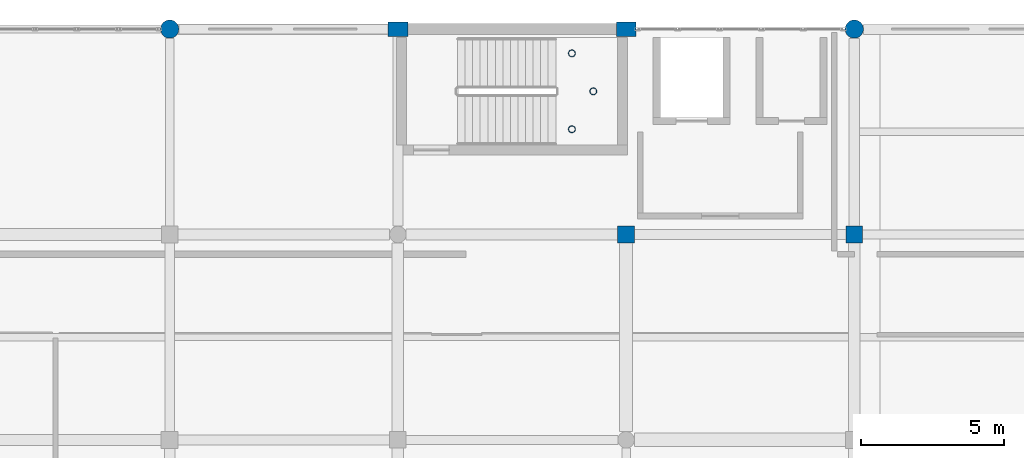
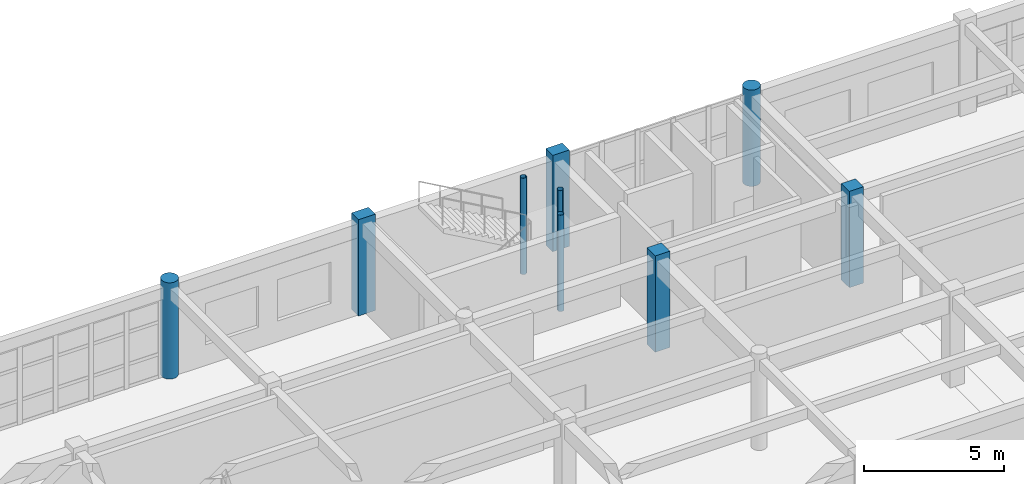
# One storey, part 4 of 121: 9 columns.
"""IFC4 building model written with IfcOpenShell, lengths in metres."""

from ifc_helpers import new_model, si_unit, direction, frame, origin, origin_2d, place, context, subcontext, project, spatial, rectangle, circle, hollow_circle, extrude, material, material_profile, profile_set, type_object, element, save


model = new_model("IFC4")

# Units and contexts
model_context = context("Model", 3, precision=1e-05, world=origin(), true_north=direction((0.0, 1.0)))
body_context = subcontext(model_context, "Body", "Model", "MODEL_VIEW")
ifc_project = project(units=[si_unit("LENGTHUNIT", "METRE"), si_unit("AREAUNIT", "SQUARE_METRE"), si_unit("VOLUMEUNIT", "CUBIC_METRE"), si_unit("PLANEANGLEUNIT", "RADIAN"), si_unit("MASSUNIT", "GRAM", prefix="KILO")], contexts=[model_context])

# Site, building, storey
site_placement = place(None, origin())
site = spatial("IfcSite", under=ifc_project, at=site_placement, CompositionType="ELEMENT")
building_placement = place(site_placement, origin())
building = spatial("IfcBuilding", under=site, at=building_placement, Name="Kharva Crest Polytechnic", CompositionType="ELEMENT")
storey_placement = place(building_placement, frame((0.0, 0.0, 13.199951171875)))
storey = spatial("IfcBuildingStorey", under=building, at=storey_placement, Name="L03", CompositionType="ELEMENT", Elevation=13.199951171875)

# Columns
ifc_material_1 = material(Name="Concrete C40/50", Category="concrete")
ifc_material_profile_1 = material_profile(ifc_material_1, rectangle(XDim=0.679931640625, YDim=0.5, at=origin_2d()), Name="RECT 680 X 500")
ifc_profile_set_1 = profile_set([ifc_material_profile_1], Name="Concrete C40/50")
column_type_1 = type_object("IfcColumnType", Name="COL-EXT-680X500", PredefinedType="COLUMN", material=ifc_profile_set_1)
column_1_placement = place(storey_placement, frame((112.0, 122.0, 0.0), z_axis=(0.0, 0.0, 1.0), x_axis=(1.0, 0.0, 0.0)))
element("IfcColumn", 1, at=column_1_placement, inside=storey, type_object=column_type_1, Name="L03 Column 15/S", PredefinedType="COLUMN", context=body_context, shape_type="SweptSolid", body=[
    extrude(rectangle(XDim=0.679931640625, YDim=0.5, at=origin_2d()), origin(), (0.0, 0.0, 1.0), 4.199951171875),
])
ifc_material_profile_2 = material_profile(ifc_material_1, rectangle(XDim=0.699951171875, YDim=0.5, at=origin_2d()), Name="RECT 700 X 500")
ifc_profile_set_2 = profile_set([ifc_material_profile_2], Name="Concrete C40/50")
column_type_2 = type_object("IfcColumnType", Name="COL-EXT-700X500", PredefinedType="COLUMN", material=ifc_profile_set_2)
column_2_placement = place(storey_placement, frame((104.0, 122.0, 0.0), z_axis=(0.0, 0.0, 1.0), x_axis=(1.0, 0.0, 0.0)))
element("IfcColumn", 2, at=column_2_placement, inside=storey, type_object=column_type_2, Name="L03 Column 14/S", PredefinedType="COLUMN", context=body_context, shape_type="SweptSolid", body=[
    extrude(rectangle(XDim=0.699951171875, YDim=0.5, at=origin_2d()), origin(), (0.0, 0.0, 1.0), 4.199951171875),
])
ifc_material_profile_3 = material_profile(ifc_material_1, circle(Radius=0.320068359375, at=origin_2d()), Name="DIA 640")
ifc_profile_set_3 = profile_set([ifc_material_profile_3], Name="Concrete C40/50")
column_type_3 = type_object("IfcColumnType", Name="COL-EXT-DIA640", PredefinedType="COLUMN", material=ifc_profile_set_3)
for number, where, z_axis, x_axis, name in (
    (3, (96.0, 122.0, 0.0), (0.0, 0.0, 1.0), (1.0, 0.0, 0.0), "L03 Column 13/S"),
    (4, (120.0, 122.0, 0.0), (0.0, 0.0, 1.0), (1.0, 0.0, 0.0), "L03 Column 16/S"),
):
    element("IfcColumn", number, at=place(storey_placement, frame(where, z_axis=z_axis, x_axis=x_axis)), inside=storey, type_object=column_type_3, Name=name, PredefinedType="COLUMN", context=body_context, shape_type="SweptSolid", body=[
        extrude(circle(Radius=0.320068359375, at=origin_2d()), origin(), (0.0, 0.0, 1.0), 4.199951171875),
    ])
ifc_material_profile_4 = material_profile(ifc_material_1, rectangle(XDim=0.580078125, YDim=0.580078125, at=origin_2d()), Name="RECT 580 X 580")
ifc_profile_set_4 = profile_set([ifc_material_profile_4], Name="Concrete C40/50")
column_type_4 = type_object("IfcColumnType", Name="COL-INT-580X580", PredefinedType="COLUMN", material=ifc_profile_set_4)
column_3_placement = place(storey_placement, frame((120.0, 114.800048828125, 0.0), z_axis=(0.0, 0.0, 1.0), x_axis=(1.0, 0.0, 0.0)))
element("IfcColumn", 5, at=column_3_placement, inside=storey, type_object=column_type_4, Name="L03 Column 16/R", PredefinedType="COLUMN", context=body_context, shape_type="SweptSolid", body=[
    extrude(rectangle(XDim=0.580078125, YDim=0.580078125, at=origin_2d()), origin(), (0.0, 0.0, 1.0), 4.199951171875),
])
ifc_material_profile_5 = material_profile(ifc_material_1, rectangle(XDim=0.60009765625, YDim=0.60009765625, at=origin_2d()), Name="RECT 600 X 600")
ifc_profile_set_5 = profile_set([ifc_material_profile_5], Name="Concrete C40/50")
column_type_5 = type_object("IfcColumnType", Name="COL-INT-600X600", PredefinedType="COLUMN", material=ifc_profile_set_5)
column_4_placement = place(storey_placement, frame((112.0, 114.800048828125, 0.0), z_axis=(0.0, 0.0, 1.0), x_axis=(1.0, 0.0, 0.0)))
element("IfcColumn", 6, at=column_4_placement, inside=storey, type_object=column_type_5, Name="L03 Column 15/R", PredefinedType="COLUMN", context=body_context, shape_type="SweptSolid", body=[
    extrude(rectangle(XDim=0.60009765625, YDim=0.60009765625, at=origin_2d()), origin(), (0.0, 0.0, 1.0), 4.199951171875),
])
ifc_material_2 = material(Name="Steel S355", Category="steel")
ifc_material_profile_6 = material_profile(ifc_material_2, hollow_circle(Radius=0.122314453125, WallThickness=0.010009765625, at=origin_2d()), Name="CHS 244.5X10.0")
ifc_profile_set_6 = profile_set([ifc_material_profile_6], Name="Steel S355")
column_type_6 = type_object("IfcColumnType", Name="COL-STL-CHS244", PredefinedType="COLUMN", material=ifc_profile_set_6)
for number, where, z_axis, x_axis, name in (
    (7, (110.10009765625, 118.489990234375, 0.0), (0.0, 0.0, 1.0), (1.0, 0.0, 0.0), "L03 Stair ST-04 Landing Support Column SW"),
    (8, (110.10009765625, 121.14990234375, 0.0), (0.0, 0.0, 1.0), (1.0, 0.0, 0.0), "L03 Stair ST-04 Landing Support Column NW"),
    (9, (110.85009765625, 119.820068359375, 0.0), (0.0, 0.0, 1.0), (1.0, 0.0, 0.0), "L03 Stair ST-04 Landing Support Column EM"),
):
    element("IfcColumn", number, at=place(storey_placement, frame(where, z_axis=z_axis, x_axis=x_axis)), inside=storey, type_object=column_type_6, Name=name, PredefinedType="COLUMN", context=body_context, shape_type="SweptSolid", body=[
        extrude(hollow_circle(Radius=0.122314453125, WallThickness=0.010009765625, at=origin_2d()), origin(), (0.0, 0.0, 1.0), 4.199951171875),
    ])

save(model, "model.ifc")
